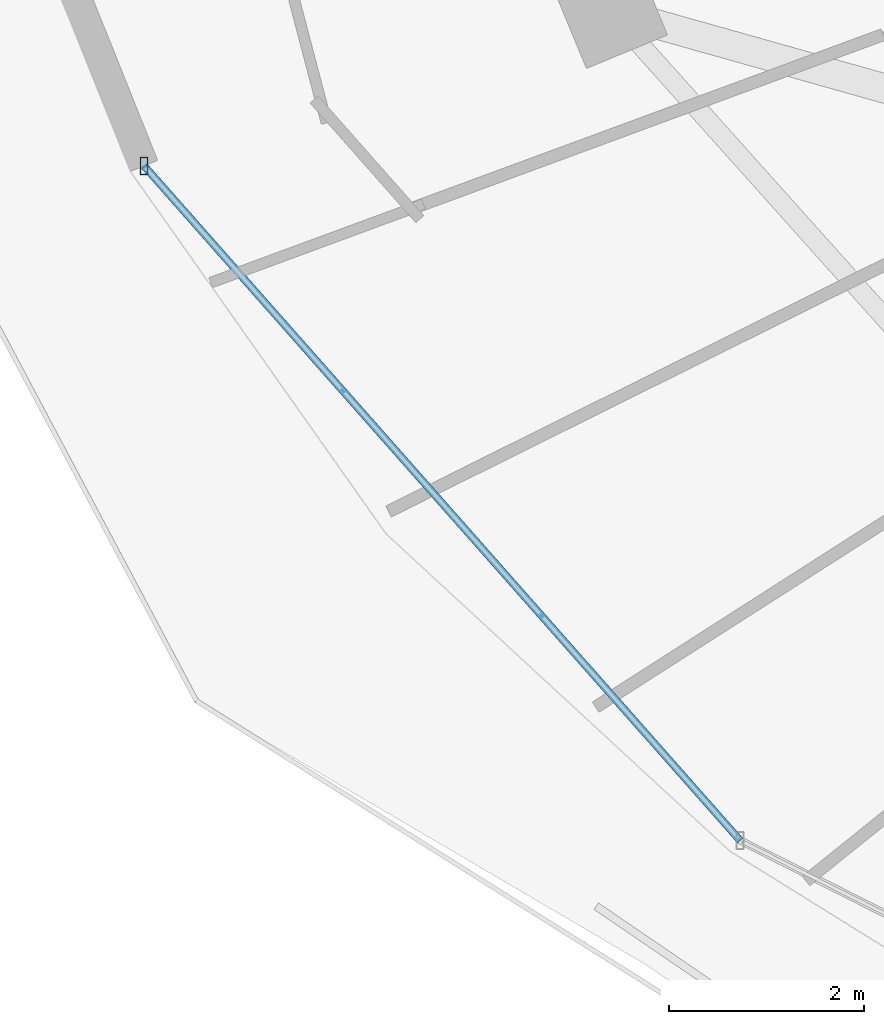
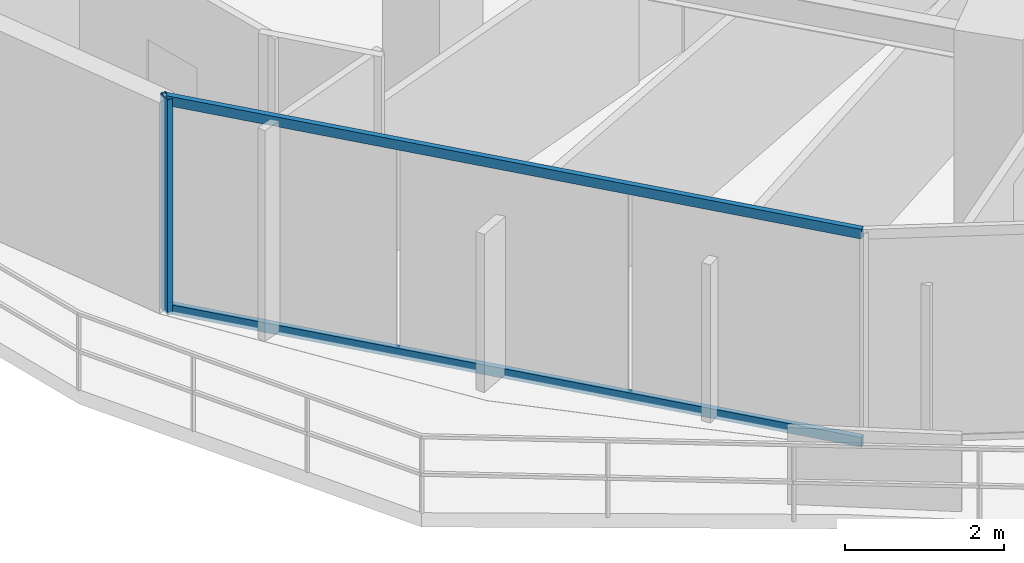
# One storey, part 3 of 34: 3 members, 1 element without a shape of its own.
"""IFC4 building model written with IfcOpenShell, lengths in metres."""

from ifc_helpers import new_model, si_unit, direction, frame, origin, origin_2d, place, context, subcontext, project, spatial, hollow_rectangle, extrude, material, material_profile, profile_set, type_object, element, aggregate, save


model = new_model("IFC4")

# Units and contexts
model_context = context("Model", 3, precision=1e-05, world=origin(), true_north=direction((0.0, 1.0)))
body_context = subcontext(model_context, "Body", "Model", "MODEL_VIEW")
ifc_project = project(units=[si_unit("LENGTHUNIT", "METRE"), si_unit("AREAUNIT", "SQUARE_METRE"), si_unit("VOLUMEUNIT", "CUBIC_METRE"), si_unit("PLANEANGLEUNIT", "RADIAN"), si_unit("MASSUNIT", "GRAM", prefix="KILO")], contexts=[model_context])

# Site, building, storey
site_placement = place(None, origin())
site = spatial("IfcSite", under=ifc_project, at=site_placement, CompositionType="ELEMENT")
building_placement = place(site_placement, origin())
building = spatial("IfcBuilding", under=site, at=building_placement, Name="Vorneva Point Tower", CompositionType="ELEMENT")
storey_placement = place(building_placement, frame((0.0, 0.0, 182.60009765625)))
storey = spatial("IfcBuildingStorey", under=building, at=storey_placement, Name="L49", CompositionType="ELEMENT", Elevation=182.60009765625)

# Curtain wall, members
ifc_material = material(Name="Pale anodised aluminium", Category="aluminium")
curtain_wall_type = type_object("IfcCurtainWallType", Name="CW-RES-SYS", PredefinedType="NOTDEFINED", material=ifc_material)
curtain_wall_placement = place(storey_placement, origin())
curtain_wall = element("IfcCurtainWall", 1, at=curtain_wall_placement, inside=storey, type_object=curtain_wall_type, Name="L49 Unitised Curtain Wall CW-L49-R03", PredefinedType="NOTDEFINED")
ifc_material_profile_1 = material_profile(ifc_material, hollow_rectangle(XDim=0.074951171875, YDim=0.179931640625, WallThickness=0.00390625, at=origin_2d()), Name="AL-MUL 180x75x4")
ifc_profile_set_1 = profile_set([ifc_material_profile_1], Name="Pale anodised aluminium")
member_type_1 = type_object("IfcMemberType", Name="CW-MUL-180", PredefinedType="MULLION", material=ifc_profile_set_1)
member_1_placement = place(storey_placement, frame((11.9189453125, 17.82958984375, -0.0400390625), z_axis=(0.0, 0.0, 1.0), x_axis=(1.0, 0.0, 0.0)))
member_1 = element("IfcMember", 2, at=member_1_placement, type_object=member_type_1, Name="CW-L49-R03 Mullion 01", PredefinedType="MULLION", context=body_context, shape_type="SweptSolid", body=[
    extrude(hollow_rectangle(XDim=0.074951171875, YDim=0.179931640625, WallThickness=0.00390625, at=origin_2d()), origin(), (0.0, 0.0, 1.0), 3.31005859375),
])
ifc_material_profile_2 = material_profile(ifc_material, hollow_rectangle(XDim=0.074951171875, YDim=0.14990234375, WallThickness=0.00390625, at=origin_2d()), Name="AL-TRN 150x75x4")
ifc_profile_set_2 = profile_set([ifc_material_profile_2], Name="Pale anodised aluminium")
member_type_2 = type_object("IfcMemberType", Name="CW-TRN-150", PredefinedType="USERDEFINED", material=ifc_profile_set_2)
member_2_placement = place(storey_placement, frame((11.9189453125, 17.82958984375, 0.02001953125), z_axis=(0.662106383869, -0.749409858782, 0.0), x_axis=(0.749409858782, 0.662106383869, 0.0)))
member_2 = element("IfcMember", 3, at=member_2_placement, type_object=member_type_2, Name="CW-L49-R03 Transom 01.1", ObjectType="TRANSOM", PredefinedType="USERDEFINED", context=body_context, shape_type="SweptSolid", body=[
    extrude(hollow_rectangle(XDim=0.074951171875, YDim=0.14990234375, WallThickness=0.00390625, at=origin_2d()), origin(), (0.0, 0.0, 1.0), 9.2421875),
])
member_3_placement = place(storey_placement, frame((11.9189453125, 17.82958984375, 3.219970703125), z_axis=(0.662106383869, -0.749409858782, 0.0), x_axis=(0.749409858782, 0.662106383869, 0.0)))
member_3 = element("IfcMember", 4, at=member_3_placement, type_object=member_type_2, Name="CW-L49-R03 Transom 01.2", ObjectType="TRANSOM", PredefinedType="USERDEFINED", context=body_context, shape_type="SweptSolid", body=[
    extrude(hollow_rectangle(XDim=0.074951171875, YDim=0.14990234375, WallThickness=0.00390625, at=origin_2d()), origin(), (0.0, 0.0, 1.0), 9.2421875),
])
aggregate(curtain_wall, [member_1, member_2, member_3])

save(model, "model.ifc")
